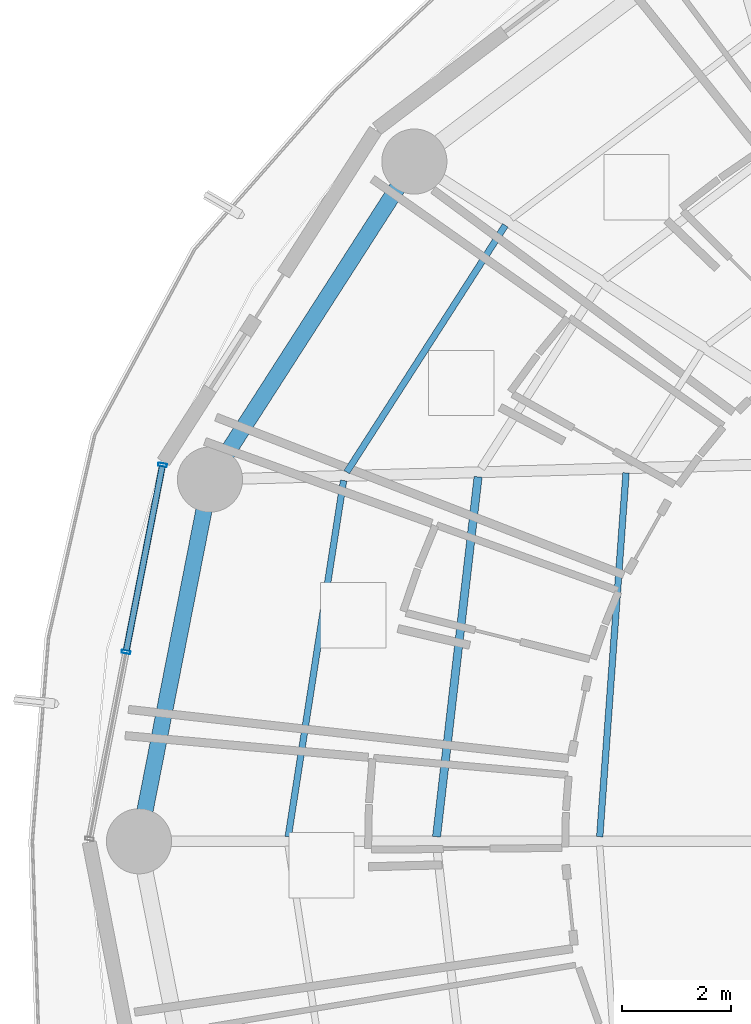
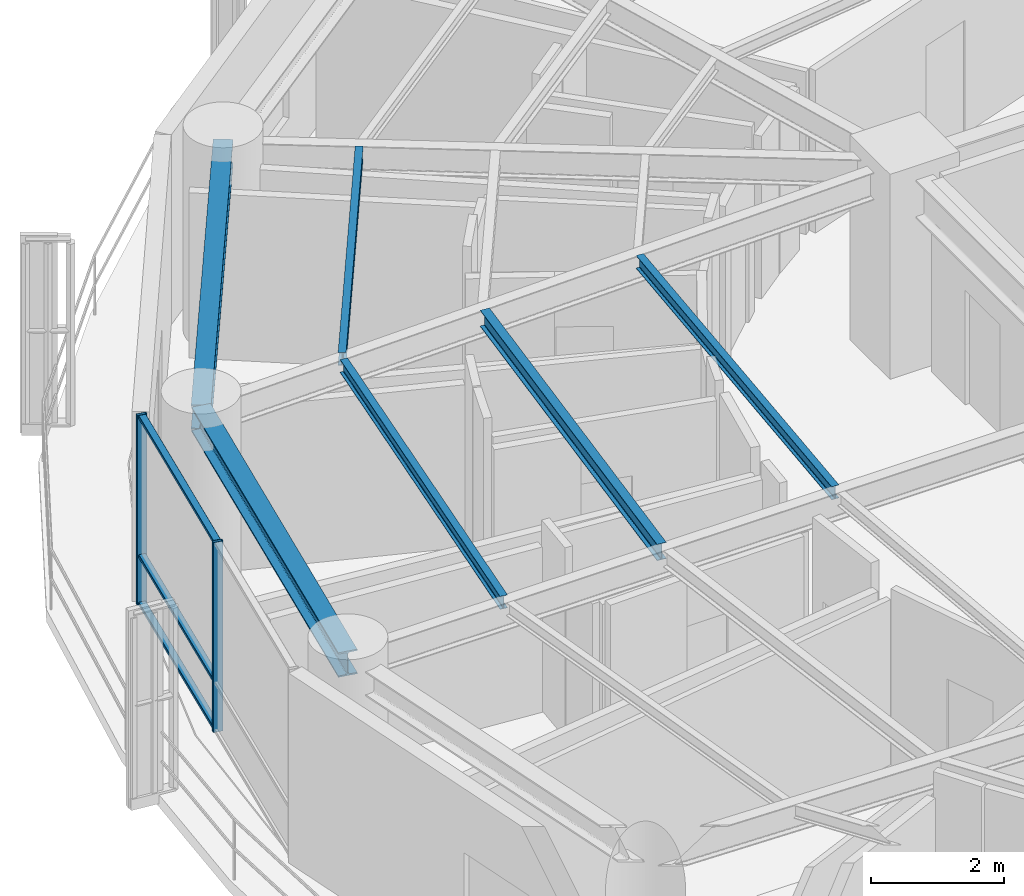
# One storey, part 8 of 28: 6 beams, 5 members, 1 element without a shape of its own.
"""IFC4 building model written with IfcOpenShell, lengths in metres."""

from ifc_helpers import new_model, si_unit, direction, frame, origin, origin_2d, place, context, subcontext, project, spatial, hollow_rectangle, i_section, extrude, material, layer, layer_set, material_profile, profile_set, type_object, element, aggregate, save


model = new_model("IFC4")

# Units and contexts
model_context = context("Model", 3, precision=1e-05, world=origin(), true_north=direction((0.0, 1.0)))
body_context = subcontext(model_context, "Body", "Model", "MODEL_VIEW")
ifc_project = project(units=[si_unit("LENGTHUNIT", "METRE"), si_unit("AREAUNIT", "SQUARE_METRE"), si_unit("VOLUMEUNIT", "CUBIC_METRE"), si_unit("PLANEANGLEUNIT", "RADIAN"), si_unit("MASSUNIT", "GRAM", prefix="KILO")], contexts=[model_context])

# Site, building, storey
site_placement = place(None, origin())
site = spatial("IfcSite", under=ifc_project, at=site_placement, CompositionType="ELEMENT")
building_placement = place(site_placement, origin())
building = spatial("IfcBuilding", under=site, at=building_placement, Name="Kelanora Arch Commons", CompositionType="ELEMENT")
storey_placement = place(building_placement, frame((0.0, 0.0, 176.85009765625)))
storey = spatial("IfcBuildingStorey", under=building, at=storey_placement, Name="L45", CompositionType="ELEMENT", Elevation=176.85009765625)

# Beams
ifc_material_1 = material(Name="Steel S355", Category="steel")
ifc_material_profile_1 = material_profile(ifc_material_1, i_section(OverallWidth=0.14990234375, OverallDepth=0.300048828125, WebThickness=0.007080078125, FlangeThickness=0.0107421875, FilletRadius=0.014892578125, at=origin_2d()), Name="IPE300")
ifc_profile_set_1 = profile_set([ifc_material_profile_1], Name="Steel S355")
beam_type_1 = type_object("IfcBeamType", Name="BM-JST-01", PredefinedType="JOIST", material=ifc_profile_set_1)
beam_1_placement = place(storey_placement, frame((58.56689453125, 64.713134765625, 3.33984375), z_axis=(-0.114667159005, -0.9934039675, 0.0), x_axis=(0.9934039675, -0.114667159005, 0.0)))
element("IfcBeam", 1, at=beam_1_placement, inside=storey, type_object=beam_type_1, Name="Secondary Chord Joist BJB-16 L45", PredefinedType="JOIST", context=body_context, shape_type="SweptSolid", body=[
    extrude(i_section(OverallWidth=0.14990234375, OverallDepth=0.300048828125, WebThickness=0.007080078125, FlangeThickness=0.0107421875, FilletRadius=0.014892578125, at=origin_2d()), origin(), (0.0, 0.0, 1.0), 6.672607421875),
])
ifc_material_profile_2 = material_profile(ifc_material_1, i_section(OverallWidth=0.1201171875, OverallDepth=0.239990234375, WebThickness=0.006103515625, FlangeThickness=0.009765625, FilletRadius=0.014892578125, at=origin_2d()), Name="IPE240")
ifc_profile_set_2 = profile_set([ifc_material_profile_2], Name="Steel S355")
beam_type_2 = type_object("IfcBeamType", Name="BM-JST-02", PredefinedType="JOIST", material=ifc_profile_set_2)
beam_2_placement = place(storey_placement, frame((59.06787109375, 69.345703125, 3.369873046875), z_axis=(-0.540581678156, -0.841291536414, 0.0), x_axis=(0.841291536414, -0.540581678156, 0.0)))
element("IfcBeam", 2, at=beam_2_placement, inside=storey, type_object=beam_type_2, Name="Secondary Chord Joist BJC-14 L45", PredefinedType="JOIST", context=body_context, shape_type="SweptSolid", body=[
    extrude(i_section(OverallWidth=0.1201171875, OverallDepth=0.239990234375, WebThickness=0.006103515625, FlangeThickness=0.009765625, FilletRadius=0.014892578125, at=origin_2d()), origin(), (0.0, 0.0, 1.0), 5.4013671875),
])
beam_3_placement = place(storey_placement, frame((61.292236328125, 64.787109375, 3.369873046875), z_axis=(-0.072117123738, -0.997396170267, 0.0), x_axis=(0.997396170267, -0.072117123738, 0.0)))
element("IfcBeam", 3, at=beam_3_placement, inside=storey, type_object=beam_type_2, Name="Secondary Chord Joist BJA-16 L45", PredefinedType="JOIST", context=body_context, shape_type="SweptSolid", body=[
    extrude(i_section(OverallWidth=0.1201171875, OverallDepth=0.239990234375, WebThickness=0.006103515625, FlangeThickness=0.009765625, FilletRadius=0.014892578125, at=origin_2d()), origin(), (0.0, 0.0, 1.0), 6.719970703125),
])
beam_4_placement = place(storey_placement, frame((56.0888671875, 64.64599609375, 3.369873046875), z_axis=(-0.153562625853, -0.988138917329, 0.0), x_axis=(0.988138917329, -0.153562625853, 0.0)))
element("IfcBeam", 4, at=beam_4_placement, inside=storey, type_object=beam_type_2, Name="Secondary Chord Joist BJC-16 L45", PredefinedType="JOIST", context=body_context, shape_type="SweptSolid", body=[
    extrude(i_section(OverallWidth=0.1201171875, OverallDepth=0.239990234375, WebThickness=0.006103515625, FlangeThickness=0.009765625, FilletRadius=0.014892578125, at=origin_2d()), origin(), (0.0, 0.0, 1.0), 6.640869140625),
])
ifc_material_profile_3 = material_profile(ifc_material_1, i_section(OverallWidth=0.300048828125, OverallDepth=0.449951171875, WebThickness=0.013916015625, FlangeThickness=0.02587890625, FilletRadius=0.027099609375, at=origin_2d()), Name="HEB450")
ifc_profile_set_3 = profile_set([ifc_material_profile_3], Name="Steel S355")
beam_type_3 = type_object("IfcBeamType", Name="BM-SPN-Z3", PredefinedType="SPANDREL", material=ifc_profile_set_3)
beam_5_placement = place(storey_placement, frame((57.39208984375, 70.521484375, 3.264892578125), z_axis=(-0.540576852469, -0.841294637196, 0.0), x_axis=(0.841294637196, -0.540576852469, 0.0)))
element("IfcBeam", 5, at=beam_5_placement, inside=storey, type_object=beam_type_3, Name="Perimeter Spandrel Beam BS-14 L45", PredefinedType="SPANDREL", context=body_context, shape_type="SweptSolid", body=[
    extrude(i_section(OverallWidth=0.300048828125, OverallDepth=0.449951171875, WebThickness=0.013916015625, FlangeThickness=0.02587890625, FilletRadius=0.027099609375, at=origin_2d()), origin(), (0.0, 0.0, 1.0), 6.964111328125),
])
beam_6_placement = place(storey_placement, frame((53.62744140625, 64.66259765625, 3.264892578125), z_axis=(-0.192553643556, -0.981286448675, 0.0), x_axis=(0.981286448675, -0.192553643556, 0.0)))
element("IfcBeam", 6, at=beam_6_placement, inside=storey, type_object=beam_type_3, Name="Perimeter Spandrel Beam BS-16 L45", PredefinedType="SPANDREL", context=body_context, shape_type="SweptSolid", body=[
    extrude(i_section(OverallWidth=0.300048828125, OverallDepth=0.449951171875, WebThickness=0.013916015625, FlangeThickness=0.02587890625, FilletRadius=0.027099609375, at=origin_2d()), origin(), (0.0, 0.0, 1.0), 6.78955078125),
])

# Curtain wall, members
ifc_material_2 = material(Name="Terracotta ceramic-fritted low-E glass and aluminium", Category="masonry")
ifc_layer = layer(ifc_material_2, 0.175048828125)
ifc_layer_set = layer_set([ifc_layer], Name="Terracotta ceramic-fritted low-E glass and aluminium")
curtain_wall_type = type_object("IfcCurtainWallType", Name="CW-SYS-02", PredefinedType="NOTDEFINED", material=ifc_layer_set)
curtain_wall_placement = place(storey_placement, origin())
curtain_wall = element("IfcCurtainWall", 7, at=curtain_wall_placement, inside=storey, type_object=curtain_wall_type, Name="Unitised Curtain Wall L45-B08", PredefinedType="NOTDEFINED")
ifc_material_3 = material(Name="Powder-coated aluminium terracotta", Category="masonry")
ifc_material_profile_4 = material_profile(ifc_material_3, hollow_rectangle(XDim=0.159912109375, YDim=0.06005859375, WallThickness=0.0048828125, InnerFilletRadius=0.0048828125, OuterFilletRadius=0.010009765625, at=origin_2d()), Name="CWM160x60")
ifc_profile_set_4 = profile_set([ifc_material_profile_4], Name="Powder-coated aluminium terracotta")
member_type_1 = type_object("IfcMemberType", Name="CWM-STD", PredefinedType="MULLION", material=ifc_profile_set_4)
member_1_placement = place(storey_placement, frame((52.754150390625, 64.93310546875, 0.0), z_axis=(0.0, 0.0, 1.0), x_axis=(0.981452557718, -0.191705182375, 0.0)))
member_1 = element("IfcMember", 8, at=member_1_placement, type_object=member_type_1, Name="CW-02 mullion 1", PredefinedType="MULLION", context=body_context, shape_type="SweptSolid", body=[
    extrude(hollow_rectangle(XDim=0.159912109375, YDim=0.06005859375, WallThickness=0.0048828125, InnerFilletRadius=0.0048828125, OuterFilletRadius=0.010009765625, at=origin_2d()), origin(), (0.0, 0.0, 1.0), 3.474853515625),
])
member_2_placement = place(storey_placement, frame((52.08154296875, 61.488525390625, 0.0), z_axis=(0.0, 0.0, 1.0), x_axis=(0.981452557718, -0.191705182375, 0.0)))
member_2 = element("IfcMember", 9, at=member_2_placement, type_object=member_type_1, Name="CW-02 mullion 2", PredefinedType="MULLION", context=body_context, shape_type="SweptSolid", body=[
    extrude(hollow_rectangle(XDim=0.159912109375, YDim=0.06005859375, WallThickness=0.0048828125, InnerFilletRadius=0.0048828125, OuterFilletRadius=0.010009765625, at=origin_2d()), origin(), (0.0, 0.0, 1.0), 3.474853515625),
])
ifc_material_profile_5 = material_profile(ifc_material_3, hollow_rectangle(XDim=0.1201171875, YDim=0.06005859375, WallThickness=0.0048828125, InnerFilletRadius=0.0048828125, OuterFilletRadius=0.010009765625, at=origin_2d()), Name="CWT120x60")
ifc_profile_set_5 = profile_set([ifc_material_profile_5], Name="Powder-coated aluminium terracotta")
member_type_2 = type_object("IfcMemberType", Name="CWT-STD", PredefinedType="USERDEFINED", material=ifc_profile_set_5)
member_3_placement = place(storey_placement, frame((52.74853515625, 64.903564453125, 0.02978515625), z_axis=(-0.191731523726, -0.981447412147, 0.0), x_axis=(0.981447412147, -0.191731523726, 0.0)))
member_3 = element("IfcMember", 10, at=member_3_placement, type_object=member_type_2, Name="CW-02 transom 1.1", ObjectType="TRANSOM", PredefinedType="USERDEFINED", context=body_context, shape_type="SweptSolid", body=[
    extrude(hollow_rectangle(XDim=0.1201171875, YDim=0.06005859375, WallThickness=0.0048828125, InnerFilletRadius=0.0048828125, OuterFilletRadius=0.010009765625, at=origin_2d()), origin(), (0.0, 0.0, 1.0), 3.449462890625),
])
member_4_placement = place(storey_placement, frame((52.74853515625, 64.903564453125, 0.89990234375), z_axis=(-0.191731523726, -0.981447412147, 0.0), x_axis=(0.981447412147, -0.191731523726, 0.0)))
member_4 = element("IfcMember", 11, at=member_4_placement, type_object=member_type_2, Name="CW-02 transom 1.2", ObjectType="TRANSOM", PredefinedType="USERDEFINED", context=body_context, shape_type="SweptSolid", body=[
    extrude(hollow_rectangle(XDim=0.1201171875, YDim=0.06005859375, WallThickness=0.0048828125, InnerFilletRadius=0.0048828125, OuterFilletRadius=0.010009765625, at=origin_2d()), origin(), (0.0, 0.0, 1.0), 3.449462890625),
])
member_5_placement = place(storey_placement, frame((52.74853515625, 64.903564453125, 3.44482421875), z_axis=(-0.191731523726, -0.981447412147, 0.0), x_axis=(0.981447412147, -0.191731523726, 0.0)))
member_5 = element("IfcMember", 12, at=member_5_placement, type_object=member_type_2, Name="CW-02 transom 1.3", ObjectType="TRANSOM", PredefinedType="USERDEFINED", context=body_context, shape_type="SweptSolid", body=[
    extrude(hollow_rectangle(XDim=0.1201171875, YDim=0.06005859375, WallThickness=0.0048828125, InnerFilletRadius=0.0048828125, OuterFilletRadius=0.010009765625, at=origin_2d()), origin(), (0.0, 0.0, 1.0), 3.449462890625),
])
aggregate(curtain_wall, [member_1, member_2, member_3, member_4, member_5])

save(model, "model.ifc")
